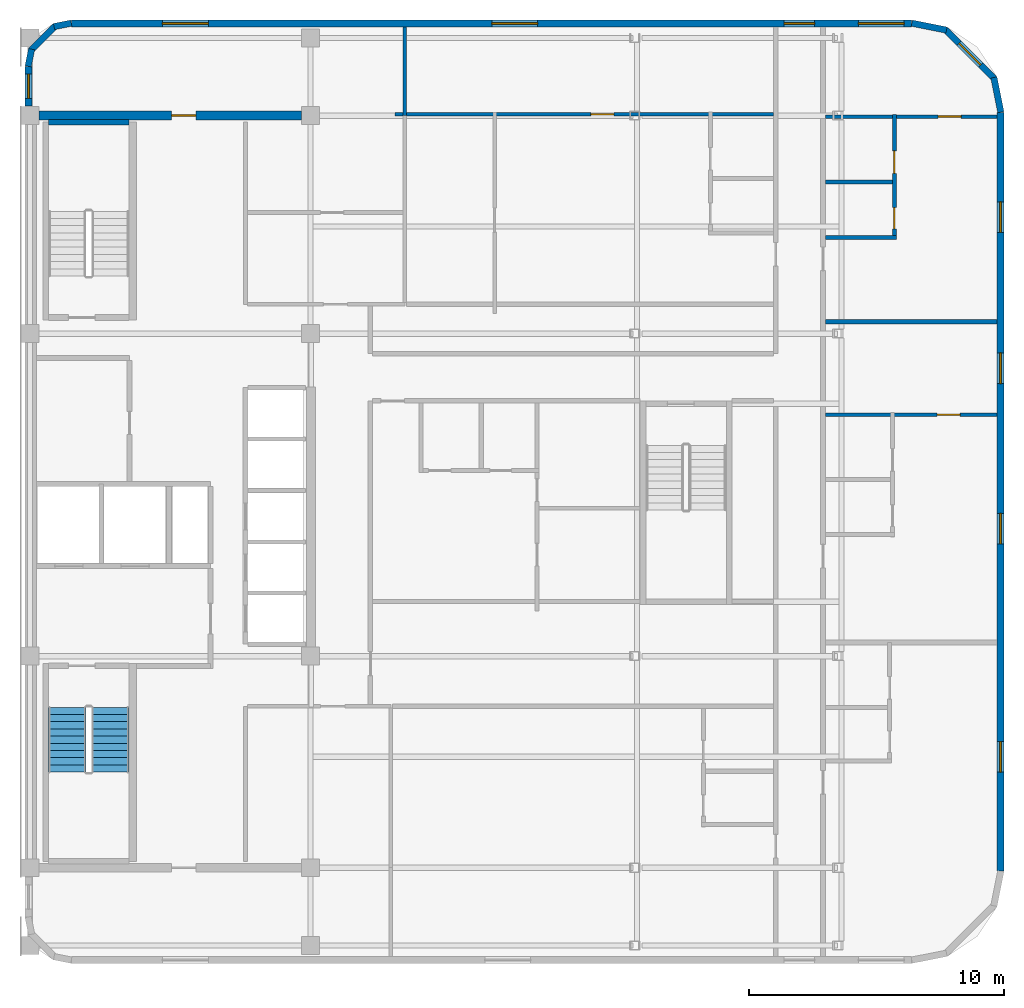
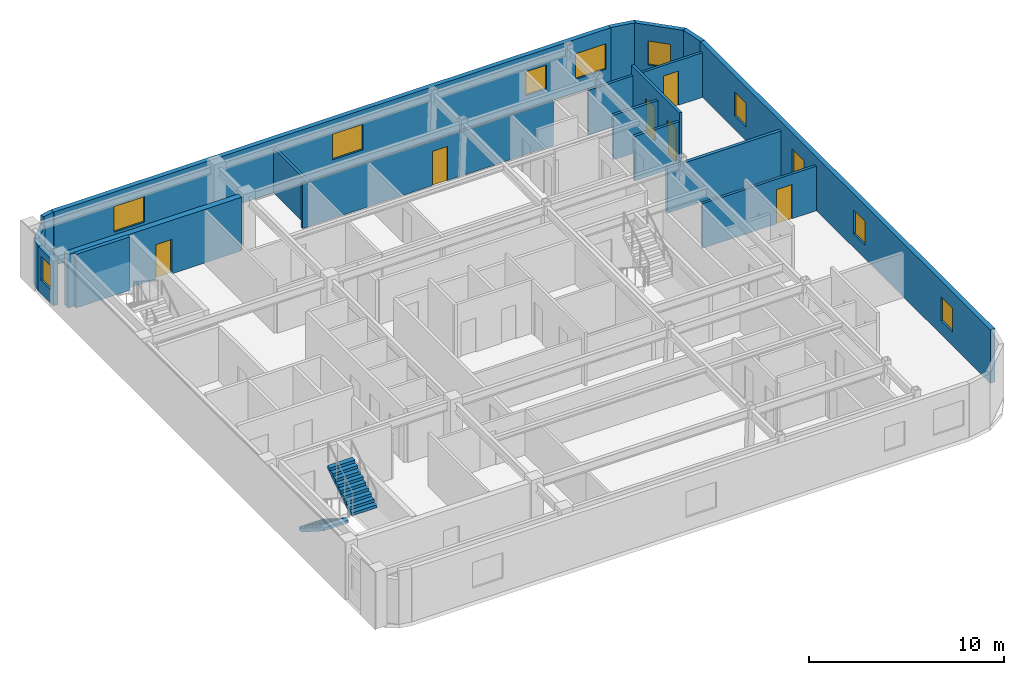
# One storey, part 5 of 8: 19 walls, 10 windows, 6 doors, 2 stair flights, 16 openings, 1 element without a shape of its own.
"""IFC4 building model written with IfcOpenShell, lengths in metres."""

from ifc_helpers import new_model, si_unit, direction, frame, frame_2d, origin, place, context, subcontext, project, spatial, polyline, rectangle, outline, extrude, material, layer, layer_set, type_object, element, fill, aggregate, save


model = new_model("IFC4")

# Units and contexts
model_context = context("Model", 3, precision=1e-05, world=origin(), true_north=direction((0.0, 1.0)))
body_context = subcontext(model_context, "Body", "Model", "MODEL_VIEW")
ifc_project = project(units=[si_unit("LENGTHUNIT", "METRE"), si_unit("AREAUNIT", "SQUARE_METRE"), si_unit("VOLUMEUNIT", "CUBIC_METRE"), si_unit("PLANEANGLEUNIT", "RADIAN"), si_unit("MASSUNIT", "GRAM", prefix="KILO")], contexts=[model_context])

# Site, building, storey
site_placement = place(None, origin())
site = spatial("IfcSite", under=ifc_project, at=site_placement, CompositionType="ELEMENT")
building_placement = place(site_placement, origin())
building = spatial("IfcBuilding", under=site, at=building_placement, Name="Ochreholt Gables", CompositionType="ELEMENT")
storey_placement = place(building_placement, frame((0.0, 0.0, 227.39990234375)))
storey = spatial("IfcBuildingStorey", under=building, at=storey_placement, Name="L59", CompositionType="ELEMENT", Elevation=227.39990234375)

# Wall, opening, door
ifc_material_1 = material(Name="Concrete 50 MPa", Category="concrete")
ifc_layer_1 = layer(ifc_material_1, 0.35009765625, Name="Concrete 50 MPa")
ifc_layer_set_1 = layer_set([ifc_layer_1], Name="Concrete 50 MPa")
wall_type_1 = type_object("IfcWallType", Name="WALL-CSW-350", PredefinedType="SHEAR", material=ifc_layer_set_1)
wall_1_placement = place(storey_placement, frame((24.550048828125, 38.75, 0.0), z_axis=(0.0, 0.0, 1.0), x_axis=(1.0, 0.0, 0.0)))
wall_1 = element("IfcWall", 1, at=wall_1_placement, inside=storey, type_object=wall_type_1, Name="L59 Core North Shear Wall", PredefinedType="SHEAR", context=body_context, shape_type="SweptSolid", body=[
    extrude(rectangle(XDim=10.300048828125, YDim=0.35009765625, at=frame_2d((5.14990234375, 0.0))), origin(), (0.0, 0.0, 1.0), 3.35009765625),
])
opening_1_placement = place(wall_1_placement, frame((5.199951171875, 0.0, 0.0)))
opening_1 = element("IfcOpeningElement", 2, at=opening_1_placement, cuts=wall_1, Name="Opening D-FL2", PredefinedType="OPENING", context=body_context, shape_type="SweptSolid", body=[
    extrude(rectangle(XDim=0.949951171875, YDim=2.14990234375, at=frame_2d((0.47509765625, 1.074951171875))), frame((0.0, 0.18505859375, 0.0), z_axis=(0.0, -1.0, 0.0), x_axis=(1.0, 0.0, 0.0)), (0.0, 0.0, 1.0), 0.3701171875),
])
ifc_material_2 = material(Name="Hollow Metal Steel", Category="steel")
door_type_1 = type_object("IfcDoorType", Name="DR-INT-FLB950", OperationType="NOTDEFINED", PredefinedType="DOOR", material=ifc_material_2)
door_1_placement = place(opening_1_placement, origin())
door_1 = element("IfcDoor", 3, at=door_1_placement, inside=storey, type_object=door_type_1, Name="L59 Door D-C3NSR-L59", OperationType="SINGLE_SWING_RIGHT", OverallHeight=2.14990234375, OverallWidth=0.949951171875, PredefinedType="DOOR", context=body_context, shape_type="SweptSolid", body=[
    extrude(rectangle(XDim=0.949951171875, YDim=2.14990234375, at=frame_2d((0.47509765625, 1.074951171875))), frame((0.0, 0.02490234375, 0.0), z_axis=(0.0, -1.0, 0.0), x_axis=(1.0, 0.0, 0.0)), (0.0, 0.0, 1.0), 0.050048828125),
])
fill(opening_1, door_1)

# Wall, openings, windows
ifc_material_3 = material(Name="Precast concrete 40 MPa", Category="concrete")
ifc_layer_2 = layer(ifc_material_3, 0.27001953125, Name="Precast concrete 40 MPa")
ifc_layer_set_2 = layer_set([ifc_layer_2], Name="Precast concrete 40 MPa")
wall_type_2 = type_object("IfcWallType", Name="WALL-EXT-270", PredefinedType="SOLIDWALL", material=ifc_layer_set_2)
wall_2_placement = place(storey_placement, frame((62.264892578125, 9.1201171875, 0.0), z_axis=(0.0, 0.0, 1.0), x_axis=(0.0, 1.0, 0.0)))
wall_2 = element("IfcWall", 4, at=wall_2_placement, inside=storey, type_object=wall_type_2, Name="L59 East Exterior Wall", PredefinedType="SOLIDWALL", context=body_context, shape_type="SweptSolid", body=[
    extrude(rectangle(XDim=29.759765625, YDim=0.27001953125, at=frame_2d((14.8798828125, 0.0))), origin(), (0.0, 0.0, 1.0), 3.35009765625),
])
opening_2_placement = place(wall_2_placement, frame((3.8798828125, 0.0, 0.85009765625)))
opening_2 = element("IfcOpeningElement", 5, at=opening_2_placement, cuts=wall_2, Name="Opening WN-3", PredefinedType="OPENING", context=body_context, shape_type="SweptSolid", body=[
    extrude(rectangle(XDim=1.199951171875, YDim=1.5, at=frame_2d((0.60009765625, 0.75))), frame((0.0, 0.14501953125, 0.0), z_axis=(0.0, -1.0, 0.0), x_axis=(1.0, 0.0, 0.0)), (0.0, 0.0, 1.0), 0.2900390625),
])
opening_3_placement = place(wall_2_placement, frame((12.830078125, 0.0, 0.85009765625)))
opening_3 = element("IfcOpeningElement", 6, at=opening_3_placement, cuts=wall_2, Name="Opening WN-3", PredefinedType="OPENING", context=body_context, shape_type="SweptSolid", body=[
    extrude(rectangle(XDim=1.199951171875, YDim=1.5, at=frame_2d((0.60009765625, 0.75))), frame((0.0, 0.14501953125, 0.0), z_axis=(0.0, -1.0, 0.0), x_axis=(1.0, 0.0, 0.0)), (0.0, 0.0, 1.0), 0.2900390625),
])
opening_4_placement = place(wall_2_placement, frame((19.1201171875, 0.0, 0.85009765625)))
opening_4 = element("IfcOpeningElement", 7, at=opening_4_placement, cuts=wall_2, Name="Opening WN-3", PredefinedType="OPENING", context=body_context, shape_type="SweptSolid", body=[
    extrude(rectangle(XDim=1.199951171875, YDim=1.5, at=frame_2d((0.60009765625, 0.75))), frame((0.0, 0.14501953125, 0.0), z_axis=(0.0, -1.0, 0.0), x_axis=(1.0, 0.0, 0.0)), (0.0, 0.0, 1.0), 0.2900390625),
])
opening_5_placement = place(wall_2_placement, frame((25.050048828125, 0.0, 0.85009765625)))
opening_5 = element("IfcOpeningElement", 8, at=opening_5_placement, cuts=wall_2, Name="Opening WN-3", PredefinedType="OPENING", context=body_context, shape_type="SweptSolid", body=[
    extrude(rectangle(XDim=1.199951171875, YDim=1.5, at=frame_2d((0.60009765625, 0.75))), frame((0.0, 0.14501953125, 0.0), z_axis=(0.0, -1.0, 0.0), x_axis=(1.0, 0.0, 0.0)), (0.0, 0.0, 1.0), 0.2900390625),
])
ifc_material_4 = material(Name="Triple-Glazed Thermally Broken Aluminium Window", Category="aluminium")
window_type_1 = type_object("IfcWindowType", Name="WIN-RES-1200", PartitioningType="SINGLE_PANEL", PredefinedType="WINDOW", material=ifc_material_4)
window_1_placement = place(opening_2_placement, origin())
window_1 = element("IfcWindow", 9, at=window_1_placement, inside=storey, type_object=window_type_1, Name="L59 Window W-EXT-E-L59-1", OverallHeight=1.5, OverallWidth=1.199951171875, PartitioningType="SINGLE_PANEL", PredefinedType="WINDOW", context=body_context, shape_type="SweptSolid", body=[
    extrude(rectangle(XDim=1.199951171875, YDim=1.5, at=frame_2d((0.60009765625, 0.75))), frame((0.0, 0.030029296875, 0.0), z_axis=(0.0, -1.0, 0.0), x_axis=(1.0, 0.0, 0.0)), (0.0, 0.0, 1.0), 0.06005859375),
])
fill(opening_2, window_1)
window_2_placement = place(opening_3_placement, origin())
window_2 = element("IfcWindow", 10, at=window_2_placement, inside=storey, type_object=window_type_1, Name="L59 Window W-EXT-E-L59-2", OverallHeight=1.5, OverallWidth=1.199951171875, PartitioningType="SINGLE_PANEL", PredefinedType="WINDOW", context=body_context, shape_type="SweptSolid", body=[
    extrude(rectangle(XDim=1.199951171875, YDim=1.5, at=frame_2d((0.60009765625, 0.75))), frame((0.0, 0.030029296875, 0.0), z_axis=(0.0, -1.0, 0.0), x_axis=(1.0, 0.0, 0.0)), (0.0, 0.0, 1.0), 0.06005859375),
])
fill(opening_3, window_2)
window_3_placement = place(opening_4_placement, origin())
window_3 = element("IfcWindow", 11, at=window_3_placement, inside=storey, type_object=window_type_1, Name="L59 Window W-EXT-E-L59-3", OverallHeight=1.5, OverallWidth=1.199951171875, PartitioningType="SINGLE_PANEL", PredefinedType="WINDOW", context=body_context, shape_type="SweptSolid", body=[
    extrude(rectangle(XDim=1.199951171875, YDim=1.5, at=frame_2d((0.60009765625, 0.75))), frame((0.0, 0.030029296875, 0.0), z_axis=(0.0, -1.0, 0.0), x_axis=(1.0, 0.0, 0.0)), (0.0, 0.0, 1.0), 0.06005859375),
])
fill(opening_4, window_3)
window_4_placement = place(opening_5_placement, origin())
window_4 = element("IfcWindow", 12, at=window_4_placement, inside=storey, type_object=window_type_1, Name="L59 Window W-EXT-E-L59-4", OverallHeight=1.5, OverallWidth=1.199951171875, PartitioningType="SINGLE_PANEL", PredefinedType="WINDOW", context=body_context, shape_type="SweptSolid", body=[
    extrude(rectangle(XDim=1.199951171875, YDim=1.5, at=frame_2d((0.60009765625, 0.75))), frame((0.0, 0.030029296875, 0.0), z_axis=(0.0, -1.0, 0.0), x_axis=(1.0, 0.0, 0.0)), (0.0, 0.0, 1.0), 0.06005859375),
])
fill(opening_5, window_4)

wall_3_placement = place(storey_placement, frame((58.780029296875, 42.364990234375, 0.0), z_axis=(0.0, 0.0, 1.0), x_axis=(-1.0, 0.0, 0.0)))
wall_3 = element("IfcWall", 13, at=wall_3_placement, inside=storey, type_object=wall_type_2, Name="L59 North Exterior Wall", PredefinedType="SOLIDWALL", context=body_context, shape_type="SweptSolid", body=[
    extrude(rectangle(XDim=32.9599609375, YDim=0.27001953125, at=frame_2d((16.47998046875, 0.0))), origin(), (0.0, 0.0, 1.0), 3.35009765625),
])
opening_6_placement = place(wall_3_placement, frame((27.590087890625, 0.0, 0.85009765625)))
opening_6 = element("IfcOpeningElement", 14, at=opening_6_placement, cuts=wall_3, Name="Opening WN-1", PredefinedType="OPENING", context=body_context, shape_type="SweptSolid", body=[
    extrude(rectangle(XDim=1.800048828125, YDim=1.60009765625, at=frame_2d((0.89990234375, 0.800048828125))), frame((0.0, 0.14501953125, 0.0), z_axis=(0.0, -1.0, 0.0), x_axis=(1.0, 0.0, 0.0)), (0.0, 0.0, 1.0), 0.2900390625),
])
opening_7_placement = place(wall_3_placement, frame((14.6708984375, 0.0, 0.85009765625)))
opening_7 = element("IfcOpeningElement", 15, at=opening_7_placement, cuts=wall_3, Name="Opening WN-1", PredefinedType="OPENING", context=body_context, shape_type="SweptSolid", body=[
    extrude(rectangle(XDim=1.800048828125, YDim=1.60009765625, at=frame_2d((0.89990234375, 0.800048828125))), frame((0.0, 0.14501953125, 0.0), z_axis=(0.0, -1.0, 0.0), x_axis=(1.0, 0.0, 0.0)), (0.0, 0.0, 1.0), 0.2900390625),
])
opening_8_placement = place(wall_3_placement, frame((3.8046875, 0.0, 0.85009765625)))
opening_8 = element("IfcOpeningElement", 16, at=opening_8_placement, cuts=wall_3, Name="Opening WN-3", PredefinedType="OPENING", context=body_context, shape_type="SweptSolid", body=[
    extrude(rectangle(XDim=1.199951171875, YDim=1.5, at=frame_2d((0.60009765625, 0.75))), frame((0.0, 0.14501953125, 0.0), z_axis=(0.0, -1.0, 0.0), x_axis=(1.0, 0.0, 0.0)), (0.0, 0.0, 1.0), 0.2900390625),
])
opening_9_placement = place(wall_3_placement, frame((0.294921875, 0.0, 0.85009765625)))
opening_9 = element("IfcOpeningElement", 17, at=opening_9_placement, cuts=wall_3, Name="Opening WN-1", PredefinedType="OPENING", context=body_context, shape_type="SweptSolid", body=[
    extrude(rectangle(XDim=1.800048828125, YDim=1.60009765625, at=frame_2d((0.89990234375, 0.800048828125))), frame((0.0, 0.14501953125, 0.0), z_axis=(0.0, -1.0, 0.0), x_axis=(1.0, 0.0, 0.0)), (0.0, 0.0, 1.0), 0.2900390625),
])
window_5_placement = place(opening_8_placement, origin())
window_5 = element("IfcWindow", 18, at=window_5_placement, inside=storey, type_object=window_type_1, Name="L59 Window W-EXT-N-L59-3", OverallHeight=1.5, OverallWidth=1.199951171875, PartitioningType="SINGLE_PANEL", PredefinedType="WINDOW", context=body_context, shape_type="SweptSolid", body=[
    extrude(rectangle(XDim=1.199951171875, YDim=1.5, at=frame_2d((0.60009765625, 0.75))), frame((0.0, 0.030029296875, 0.0), z_axis=(0.0, -1.0, 0.0), x_axis=(1.0, 0.0, 0.0)), (0.0, 0.0, 1.0), 0.06005859375),
])
fill(opening_8, window_5)
window_type_2 = type_object("IfcWindowType", Name="WIN-RES-1800", PartitioningType="SINGLE_PANEL", PredefinedType="WINDOW", material=ifc_material_4)
window_6_placement = place(opening_6_placement, origin())
window_6 = element("IfcWindow", 19, at=window_6_placement, inside=storey, type_object=window_type_2, Name="L59 Window W-EXT-N-L59-1", OverallHeight=1.60009765625, OverallWidth=1.800048828125, PartitioningType="SINGLE_PANEL", PredefinedType="WINDOW", context=body_context, shape_type="SweptSolid", body=[
    extrude(rectangle(XDim=1.800048828125, YDim=1.60009765625, at=frame_2d((0.89990234375, 0.800048828125))), frame((0.0, 0.030029296875, 0.0), z_axis=(0.0, -1.0, 0.0), x_axis=(1.0, 0.0, 0.0)), (0.0, 0.0, 1.0), 0.06005859375),
])
fill(opening_6, window_6)
window_7_placement = place(opening_7_placement, origin())
window_7 = element("IfcWindow", 20, at=window_7_placement, inside=storey, type_object=window_type_2, Name="L59 Window W-EXT-N-L59-2", OverallHeight=1.60009765625, OverallWidth=1.800048828125, PartitioningType="SINGLE_PANEL", PredefinedType="WINDOW", context=body_context, shape_type="SweptSolid", body=[
    extrude(rectangle(XDim=1.800048828125, YDim=1.60009765625, at=frame_2d((0.89990234375, 0.800048828125))), frame((0.0, 0.030029296875, 0.0), z_axis=(0.0, -1.0, 0.0), x_axis=(1.0, 0.0, 0.0)), (0.0, 0.0, 1.0), 0.06005859375),
])
fill(opening_7, window_7)
window_8_placement = place(opening_9_placement, origin())
window_8 = element("IfcWindow", 21, at=window_8_placement, inside=storey, type_object=window_type_2, Name="L59 Window W-EXT-N-L59-4", OverallHeight=1.60009765625, OverallWidth=1.800048828125, PartitioningType="SINGLE_PANEL", PredefinedType="WINDOW", context=body_context, shape_type="SweptSolid", body=[
    extrude(rectangle(XDim=1.800048828125, YDim=1.60009765625, at=frame_2d((0.89990234375, 0.800048828125))), frame((0.0, 0.030029296875, 0.0), z_axis=(0.0, -1.0, 0.0), x_axis=(1.0, 0.0, 0.0)), (0.0, 0.0, 1.0), 0.06005859375),
])
fill(opening_9, window_8)

# Wall, opening, window
wall_4_placement = place(storey_placement, frame((24.135009765625, 39.1201171875, 0.0), z_axis=(0.0, 0.0, 1.0), x_axis=(0.0, 1.0, 0.0)))
wall_4 = element("IfcWall", 22, at=wall_4_placement, inside=storey, type_object=wall_type_2, Name="L59 West Facade North Bay Wall", PredefinedType="SOLIDWALL", context=body_context, shape_type="SweptSolid", body=[
    extrude(rectangle(XDim=1.559814453125, YDim=0.27001953125, at=frame_2d((0.77978515625, 0.0))), origin(), (0.0, 0.0, 1.0), 2.793212890625),
])
opening_10_placement = place(wall_4_placement, frame((0.304931640625, 0.0, 0.85009765625)))
opening_10 = element("IfcOpeningElement", 23, at=opening_10_placement, cuts=wall_4, Name="Opening WN-10", PredefinedType="OPENING", context=body_context, shape_type="SweptSolid", body=[
    extrude(rectangle(XDim=0.949951171875, YDim=1.5, at=frame_2d((0.47509765625, 0.75))), frame((0.0, 0.14501953125, 0.0), z_axis=(0.0, -1.0, 0.0), x_axis=(1.0, 0.0, 0.0)), (0.0, 0.0, 1.0), 0.2900390625),
])
window_type_3 = type_object("IfcWindowType", Name="WIN-RES-950", PartitioningType="SINGLE_PANEL", PredefinedType="WINDOW", material=ifc_material_4)
window_9_placement = place(opening_10_placement, origin())
window_9 = element("IfcWindow", 24, at=window_9_placement, inside=storey, type_object=window_type_3, Name="L59 North Sky Reading West Window", OverallHeight=1.5, OverallWidth=0.949951171875, PartitioningType="SINGLE_PANEL", PredefinedType="WINDOW", context=body_context, shape_type="SweptSolid", body=[
    extrude(rectangle(XDim=0.949951171875, YDim=1.5, at=frame_2d((0.47509765625, 0.75))), frame((0.0, 0.030029296875, 0.0), z_axis=(0.0, -1.0, 0.0), x_axis=(1.0, 0.0, 0.0)), (0.0, 0.0, 1.0), 0.06005859375),
])
fill(opening_10, window_9)

# Wall
ifc_layer_3 = layer(ifc_material_3, 0.25, Name="Precast concrete 40 MPa")
ifc_layer_set_3 = layer_set([ifc_layer_3], Name="Precast concrete 40 MPa")
wall_type_3 = type_object("IfcWallType", Name="WALL-EXT-CNR", PredefinedType="SOLIDWALL", material=ifc_layer_set_3)
wall_5_placement = place(storey_placement, frame((62.27587890625, 38.883544921875, 0.0), z_axis=(0.0, 0.0, 1.0), x_axis=(-0.195135625965, 0.9807762678, 0.0)))
element("IfcWall", 25, at=wall_5_placement, inside=storey, type_object=wall_type_3, Name="L59 Rounded Corner Wall NE-1", PredefinedType="SOLIDWALL", context=body_context, shape_type="SweptSolid", body=[
    extrude(rectangle(XDim=1.388671875, YDim=0.25, at=frame_2d((0.6943359375, 0.0))), origin(), (0.0, 0.0, 1.0), 3.35009765625),
])

# Wall, opening, window
wall_6_placement = place(storey_placement, frame((62.031982421875, 40.195068359375, 0.0), z_axis=(0.0, 0.0, 1.0), x_axis=(-0.707106781187, 0.707106781187, 0.0)))
wall_6 = element("IfcWall", 26, at=wall_6_placement, inside=storey, type_object=wall_type_3, Name="L59 Rounded Corner Wall NE-2", PredefinedType="SOLIDWALL", context=body_context, shape_type="SweptSolid", body=[
    extrude(rectangle(XDim=2.7392578125, YDim=0.25, at=frame_2d((1.36962890625, 0.0))), origin(), (0.0, 0.0, 1.0), 3.35009765625),
])
opening_11_placement = place(wall_6_placement, frame((0.769775390625, 0.0, 0.85009765625)))
opening_11 = element("IfcOpeningElement", 27, at=opening_11_placement, cuts=wall_6, Name="Opening WN-3", PredefinedType="OPENING", context=body_context, shape_type="SweptSolid", body=[
    extrude(rectangle(XDim=1.199951171875, YDim=1.5, at=frame_2d((0.60009765625, 0.75))), frame((0.0, 0.135009765625, 0.0), z_axis=(0.0, -1.0, 0.0), x_axis=(1.0, 0.0, 0.0)), (0.0, 0.0, 1.0), 0.27001953125),
])
window_10_placement = place(opening_11_placement, origin())
window_10 = element("IfcWindow", 28, at=window_10_placement, inside=storey, type_object=window_type_1, Name="L59 Corner Bedroom Window NE", OverallHeight=1.5, OverallWidth=1.199951171875, PartitioningType="SINGLE_PANEL", PredefinedType="WINDOW", context=body_context, shape_type="SweptSolid", body=[
    extrude(rectangle(XDim=1.199951171875, YDim=1.5, at=frame_2d((0.60009765625, 0.75))), frame((0.0, 0.030029296875, 0.0), z_axis=(0.0, -1.0, 0.0), x_axis=(1.0, 0.0, 0.0)), (0.0, 0.0, 1.0), 0.06005859375),
])
fill(opening_11, window_10)

# Walls
wall_7_placement = place(storey_placement, frame((60.1455078125, 42.10498046875, 0.0), z_axis=(0.0, 0.0, 1.0), x_axis=(-0.980809899341, 0.19496651342, 0.0)))
element("IfcWall", 29, at=wall_7_placement, inside=storey, type_object=wall_type_3, Name="L59 Rounded Corner Wall NE-3", PredefinedType="SOLIDWALL", context=body_context, shape_type="SweptSolid", body=[
    extrude(rectangle(XDim=1.388671875, YDim=0.25, at=frame_2d((0.6943359375, 0.0))), origin(), (0.0, 0.0, 1.0), 3.35009765625),
])
wall_8_placement = place(storey_placement, frame((25.81640625, 42.375732421875, 0.0), z_axis=(0.0, 0.0, 1.0), x_axis=(-0.980812594069, -0.194952956674, 0.0)))
element("IfcWall", 30, at=wall_8_placement, inside=storey, type_object=wall_type_3, Name="L59 Rounded Corner Wall NW-1", PredefinedType="SOLIDWALL", context=body_context, shape_type="SweptSolid", body=[
    extrude(rectangle(XDim=0.686279296875, YDim=0.25, at=frame_2d((0.34326171875, 0.0))), origin(), (0.0, 0.0, 1.0), 3.35009765625),
])
wall_9_placement = place(storey_placement, frame((25.19384765625, 42.26904296875, 0.0), z_axis=(0.0, 0.0, 1.0), x_axis=(-0.707106781187, -0.707106781187, 0.0)))
element("IfcWall", 31, at=wall_9_placement, inside=storey, type_object=wall_type_3, Name="L59 Rounded Corner Wall NW-2", PredefinedType="SOLIDWALL", context=body_context, shape_type="SweptSolid", body=[
    extrude(rectangle(XDim=1.36181640625, YDim=0.25, at=frame_2d((0.680908203125, 0.0))), origin(), (0.0, 0.0, 1.0), 2.793212890625),
])
wall_10_placement = place(storey_placement, frame((24.258056640625, 41.356689453125, 0.0), z_axis=(0.0, 0.0, 1.0), x_axis=(-0.194952956674, -0.980812594069, 0.0)))
element("IfcWall", 32, at=wall_10_placement, inside=storey, type_object=wall_type_3, Name="L59 Rounded Corner Wall NW-3", PredefinedType="SOLIDWALL", context=body_context, shape_type="SweptSolid", body=[
    extrude(rectangle(XDim=0.686279296875, YDim=0.25, at=frame_2d((0.34326171875, 0.0))), origin(), (0.0, 0.0, 1.0), 2.793212890625),
])
ifc_material_5 = material(Name="Double-Stud Acoustic Demising Wall", Category="gypsum")
ifc_layer_4 = layer(ifc_material_5, 0.18505859375, Name="Double-Stud Acoustic Demising Wall")
ifc_layer_set_4 = layer_set([ifc_layer_4], Name="Double-Stud Acoustic Demising Wall")
wall_type_4 = type_object("IfcWallType", Name="WALL-INT-DM185", PredefinedType="PARTITIONING", material=ifc_layer_set_4)
wall_11_placement = place(storey_placement, frame((55.390380859375, 30.659912109375, 0.0), z_axis=(0.0, 0.0, 1.0), x_axis=(1.0, 0.0, 0.0)))
element("IfcWall", 33, at=wall_11_placement, inside=storey, type_object=wall_type_4, Name="L59 Interior Wall WI-C3UDE3-L59", PredefinedType="PARTITIONING", context=body_context, shape_type="SweptSolid", body=[
    extrude(rectangle(XDim=6.739501953125, YDim=0.18505859375, at=frame_2d((3.36962890625, 0.0))), origin(), (0.0, 0.0, 1.0), 2.793212890625),
])
ifc_material_6 = material(Name="Moisture-Resistant Plumbing Chase Wall", Category="gypsum")
ifc_layer_5 = layer(ifc_material_6, 0.159912109375, Name="Moisture-Resistant Plumbing Chase Wall")
ifc_layer_set_5 = layer_set([ifc_layer_5], Name="Moisture-Resistant Plumbing Chase Wall")
wall_type_5 = type_object("IfcWallType", Name="WALL-INT-PL160", PredefinedType="PLUMBINGWALL", material=ifc_layer_set_5)
wall_12_placement = place(storey_placement, frame((55.390380859375, 33.974609375, 0.0), z_axis=(0.0, 0.0, 1.0), x_axis=(1.0, 0.0, 0.0)))
element("IfcWall", 34, at=wall_12_placement, inside=storey, type_object=wall_type_5, Name="L59 Interior Wall WU-L59E3-FYS", PredefinedType="PLUMBINGWALL", context=body_context, shape_type="SweptSolid", body=[
    extrude(rectangle(XDim=2.7880859375, YDim=0.159912109375, at=frame_2d((1.39404296875, 0.0))), origin(), (0.0, 0.0, 1.0), 2.793212890625),
])

# Wall, openings, doors
wall_13_placement = place(storey_placement, frame((58.098388671875, 33.884521484375, 0.0), z_axis=(0.0, 0.0, 1.0), x_axis=(0.0, 1.0, 0.0)))
wall_13 = element("IfcWall", 35, at=wall_13_placement, inside=storey, type_object=wall_type_5, Name="L59 Interior Wall WU-L59E3-WX", PredefinedType="PLUMBINGWALL", context=body_context, shape_type="SweptSolid", body=[
    extrude(rectangle(XDim=4.91552734375, YDim=0.159912109375, at=frame_2d((2.457763671875, 0.0))), origin(), (0.0, 0.0, 1.0), 3.35009765625),
])
opening_12_placement = place(wall_13_placement, frame((0.419921875, 0.0, 0.0)))
opening_12 = element("IfcOpeningElement", 36, at=opening_12_placement, cuts=wall_13, Name="Opening D-BT2", PredefinedType="OPENING", context=body_context, shape_type="SweptSolid", body=[
    extrude(rectangle(XDim=0.840087890625, YDim=2.1201171875, at=frame_2d((0.419921875, 1.06005859375))), frame((0.0, 0.08984375, 0.0), z_axis=(0.0, -1.0, 0.0), x_axis=(1.0, 0.0, 0.0)), (0.0, 0.0, 1.0), 0.179931640625),
])
opening_13_placement = place(wall_13_placement, frame((2.598388671875, 0.0, 0.0)))
opening_13 = element("IfcOpeningElement", 37, at=opening_13_placement, cuts=wall_13, Name="Opening D-GN2", PredefinedType="OPENING", context=body_context, shape_type="SweptSolid", body=[
    extrude(rectangle(XDim=0.8798828125, YDim=2.1201171875, at=frame_2d((0.43994140625, 1.06005859375))), frame((0.0, 0.08984375, 0.0), z_axis=(0.0, -1.0, 0.0), x_axis=(1.0, 0.0, 0.0)), (0.0, 0.0, 1.0), 0.179931640625),
])
ifc_material_7 = material(Name="Engineered Oak Timber", Category="wood")
door_type_2 = type_object("IfcDoorType", Name="DR-INT-BTH840", OperationType="NOTDEFINED", PredefinedType="DOOR", material=ifc_material_7)
door_2_placement = place(opening_12_placement, origin())
door_2 = element("IfcDoor", 38, at=door_2_placement, inside=storey, type_object=door_type_2, Name="L59 Door D-U-L59E3-BTH", OperationType="SINGLE_SWING_LEFT", OverallHeight=2.1201171875, OverallWidth=0.840087890625, PredefinedType="DOOR", context=body_context, shape_type="SweptSolid", body=[
    extrude(rectangle(XDim=0.840087890625, YDim=2.1201171875, at=frame_2d((0.419921875, 1.06005859375))), frame((0.0, 0.02490234375, 0.0), z_axis=(0.0, -1.0, 0.0), x_axis=(1.0, 0.0, 0.0)), (0.0, 0.0, 1.0), 0.050048828125),
])
fill(opening_12, door_2)
door_type_3 = type_object("IfcDoorType", Name="DR-INT-GEN880", OperationType="NOTDEFINED", PredefinedType="DOOR", material=ifc_material_7)
door_3_placement = place(opening_13_placement, origin())
door_3 = element("IfcDoor", 39, at=door_3_placement, inside=storey, type_object=door_type_3, Name="L59 Door D-U-L59E3-KIT", OperationType="SINGLE_SWING_RIGHT", OverallHeight=2.1201171875, OverallWidth=0.8798828125, PredefinedType="DOOR", context=body_context, shape_type="SweptSolid", body=[
    extrude(rectangle(XDim=0.8798828125, YDim=2.1201171875, at=frame_2d((0.43994140625, 1.06005859375))), frame((0.0, 0.02490234375, 0.0), z_axis=(0.0, -1.0, 0.0), x_axis=(1.0, 0.0, 0.0)), (0.0, 0.0, 1.0), 0.050048828125),
])
fill(opening_13, door_3)

# Wall
wall_14_placement = place(storey_placement, frame((55.390380859375, 36.15283203125, 0.0), z_axis=(0.0, 0.0, 1.0), x_axis=(1.0, 0.0, 0.0)))
element("IfcWall", 40, at=wall_14_placement, inside=storey, type_object=wall_type_5, Name="L59 Interior Wall WU-L59E3-WK", PredefinedType="PLUMBINGWALL", context=body_context, shape_type="SweptSolid", body=[
    extrude(rectangle(XDim=2.6279296875, YDim=0.159912109375, at=frame_2d((1.31396484375, 0.0))), origin(), (0.0, 0.0, 1.0), 2.793212890625),
])

# Wall, opening, door
ifc_material_8 = material(Name="Lightweight Stud Partition", Category="gypsum")
ifc_layer_6 = layer(ifc_material_8, 0.14501953125, Name="Lightweight Stud Partition")
ifc_layer_set_6 = layer_set([ifc_layer_6], Name="Lightweight Stud Partition")
wall_type_6 = type_object("IfcWallType", Name="WALL-INT-PT145", PredefinedType="PARTITIONING", material=ifc_layer_set_6)
wall_15_placement = place(storey_placement, frame((55.390380859375, 27.02001953125, 0.0), z_axis=(0.0, 0.0, 1.0), x_axis=(1.0, 0.0, 0.0)))
wall_15 = element("IfcWall", 41, at=wall_15_placement, inside=storey, type_object=wall_type_6, Name="L59 Interior Wall WU-L59E2-MN", PredefinedType="PARTITIONING", context=body_context, shape_type="SweptSolid", body=[
    extrude(rectangle(XDim=6.739501953125, YDim=0.14501953125, at=frame_2d((3.36962890625, 0.0))), origin(), (0.0, 0.0, 1.0), 2.793212890625),
])
opening_14_placement = place(wall_15_placement, frame((4.3857421875, 0.0, 0.0)))
opening_14 = element("IfcOpeningElement", 42, at=opening_14_placement, cuts=wall_15, Name="Opening D-BD1", PredefinedType="OPENING", context=body_context, shape_type="SweptSolid", body=[
    extrude(rectangle(XDim=0.89990234375, YDim=2.139892578125, at=frame_2d((0.449951171875, 1.06982421875))), frame((0.0, 0.08251953125, 0.0), z_axis=(0.0, -1.0, 0.0), x_axis=(1.0, 0.0, 0.0)), (0.0, 0.0, 1.0), 0.1650390625),
])
door_type_4 = type_object("IfcDoorType", Name="DR-INT-BED900", OperationType="NOTDEFINED", PredefinedType="DOOR", material=ifc_material_7)
door_4_placement = place(opening_14_placement, origin())
door_4 = element("IfcDoor", 43, at=door_4_placement, inside=storey, type_object=door_type_4, Name="L59 Door D-U-L59E2-BD1", OperationType="SINGLE_SWING_RIGHT", OverallHeight=2.139892578125, OverallWidth=0.89990234375, PredefinedType="DOOR", context=body_context, shape_type="SweptSolid", body=[
    extrude(rectangle(XDim=0.89990234375, YDim=2.139892578125, at=frame_2d((0.449951171875, 1.06982421875))), frame((0.0, 0.02490234375, 0.0), z_axis=(0.0, -1.0, 0.0), x_axis=(1.0, 0.0, 0.0)), (0.0, 0.0, 1.0), 0.050048828125),
])
fill(opening_14, door_4)

wall_16_placement = place(storey_placement, frame((55.390380859375, 38.7099609375, 0.0), z_axis=(0.0, 0.0, 1.0), x_axis=(1.0, 0.0, 0.0)))
wall_16 = element("IfcWall", 44, at=wall_16_placement, inside=storey, type_object=wall_type_6, Name="L59 Interior Wall WU-L59E3-MN", PredefinedType="PARTITIONING", context=body_context, shape_type="SweptSolid", body=[
    extrude(rectangle(XDim=6.739501953125, YDim=0.14501953125, at=frame_2d((3.36962890625, 0.0))), origin(), (0.0, 0.0, 1.0), 2.793212890625),
])
opening_15_placement = place(wall_16_placement, frame((4.423828125, 0.0, 0.0)))
opening_15 = element("IfcOpeningElement", 45, at=opening_15_placement, cuts=wall_16, Name="Opening D-BD1", PredefinedType="OPENING", context=body_context, shape_type="SweptSolid", body=[
    extrude(rectangle(XDim=0.89990234375, YDim=2.139892578125, at=frame_2d((0.449951171875, 1.06982421875))), frame((0.0, 0.08251953125, 0.0), z_axis=(0.0, -1.0, 0.0), x_axis=(1.0, 0.0, 0.0)), (0.0, 0.0, 1.0), 0.1650390625),
])
door_5_placement = place(opening_15_placement, origin())
door_5 = element("IfcDoor", 46, at=door_5_placement, inside=storey, type_object=door_type_4, Name="L59 Door D-U-L59E3-BD1", OperationType="SINGLE_SWING_LEFT", OverallHeight=2.139892578125, OverallWidth=0.89990234375, PredefinedType="DOOR", context=body_context, shape_type="SweptSolid", body=[
    extrude(rectangle(XDim=0.89990234375, YDim=2.139892578125, at=frame_2d((0.449951171875, 1.06982421875))), frame((0.0, 0.02490234375, 0.0), z_axis=(0.0, -1.0, 0.0), x_axis=(1.0, 0.0, 0.0)), (0.0, 0.0, 1.0), 0.050048828125),
])
fill(opening_15, door_5)

# Wall
wall_17_placement = place(storey_placement, frame((38.89990234375, 38.75, 0.0), z_axis=(0.0, 0.0, 1.0), x_axis=(0.0, 1.0, 0.0)))
element("IfcWall", 47, at=wall_17_placement, inside=storey, type_object=wall_type_6, Name="L59 Interior Wall WI-C3NMW-L59", PredefinedType="PARTITIONING", context=body_context, shape_type="SweptSolid", body=[
    extrude(rectangle(XDim=3.47998046875, YDim=0.14501953125, at=frame_2d((1.739990234375, 0.0))), origin(), (0.0, 0.0, 1.0), 2.793212890625),
])

# Wall, opening, door
wall_18_placement = place(storey_placement, frame((38.510009765625, 38.800048828125, 0.0), z_axis=(0.0, 0.0, 1.0), x_axis=(1.0, 0.0, 0.0)))
wall_18 = element("IfcWall", 48, at=wall_18_placement, inside=storey, type_object=wall_type_6, Name="L59 Interior Wall WU-L59NM2-MN", PredefinedType="PARTITIONING", context=body_context, shape_type="SweptSolid", body=[
    extrude(rectangle(XDim=14.850341796875, YDim=0.14501953125, at=frame_2d((7.42529296875, 0.0))), origin(), (0.0, 0.0, 1.0), 2.793212890625),
])
opening_16_placement = place(wall_18_placement, frame((7.6904296875, 0.0, 0.0)))
opening_16 = element("IfcOpeningElement", 49, at=opening_16_placement, cuts=wall_18, Name="Opening D-BD1", PredefinedType="OPENING", context=body_context, shape_type="SweptSolid", body=[
    extrude(rectangle(XDim=0.89990234375, YDim=2.139892578125, at=frame_2d((0.449951171875, 1.06982421875))), frame((0.0, 0.08251953125, 0.0), z_axis=(0.0, -1.0, 0.0), x_axis=(1.0, 0.0, 0.0)), (0.0, 0.0, 1.0), 0.1650390625),
])
door_6_placement = place(opening_16_placement, origin())
door_6 = element("IfcDoor", 50, at=door_6_placement, inside=storey, type_object=door_type_4, Name="L59 Door D-U-L59NM2-BD1", OperationType="SINGLE_SWING_LEFT", OverallHeight=2.139892578125, OverallWidth=0.89990234375, PredefinedType="DOOR", context=body_context, shape_type="SweptSolid", body=[
    extrude(rectangle(XDim=0.89990234375, YDim=2.139892578125, at=frame_2d((0.449951171875, 1.06982421875))), frame((0.0, 0.02490234375, 0.0), z_axis=(0.0, -1.0, 0.0), x_axis=(1.0, 0.0, 0.0)), (0.0, 0.0, 1.0), 0.050048828125),
])
fill(opening_16, door_6)

# Wall
ifc_layer_7 = layer(ifc_material_1, 0.219970703125, Name="Concrete 50 MPa")
ifc_layer_set_7 = layer_set([ifc_layer_7], Name="Concrete 50 MPa")
wall_type_7 = type_object("IfcWallType", Name="WALL-STW-220", PredefinedType="SHEAR", material=ifc_layer_set_7)
wall_19_placement = place(storey_placement, frame((24.919921875, 38.489990234375, 0.0), z_axis=(0.0, 0.0, 1.0), x_axis=(1.0, 0.0, 0.0)))
element("IfcWall", 51, at=wall_19_placement, inside=storey, type_object=wall_type_7, Name="L59 Exit Stair 2 North Wall", PredefinedType="SHEAR", context=body_context, shape_type="SweptSolid", body=[
    extrude(rectangle(XDim=3.16015625, YDim=0.219970703125, at=frame_2d((1.580078125, 0.0))), origin(), (0.0, 0.0, 1.0), 3.35009765625),
])

# Stair, stair flights
ifc_material_9 = material(Name="Concrete 40 MPa", Category="concrete")
stair_type = type_object("IfcStairType", Name="STAIR-CORE-ST-1", PredefinedType="HALF_TURN_STAIR", material=ifc_material_9)
stair_placement = place(storey_placement, origin())
stair = element("IfcStair", 52, at=stair_placement, inside=storey, type_object=stair_type, Name="L59 Core Exit Stair 1", PredefinedType="HALF_TURN_STAIR")
stair_flight_type = type_object("IfcStairFlightType", Name="FLIGHT-ST-1480-1800", PredefinedType="STRAIGHT", material=ifc_material_9)
stair_flight_1_placement = place(storey_placement, frame((25.659912109375, 15.5400390625, 0.0), z_axis=(0.0, 0.0, 1.0), x_axis=(0.0, -1.0, 0.0)))
stair_flight_1 = element("IfcStairFlight", 53, at=stair_flight_1_placement, type_object=stair_flight_type, Name="ST-1 flight 1", NumberOfRisers=10, NumberOfTreads=9, PredefinedType="STRAIGHT", RiserHeight=0.18, TreadLength=0.282, context=body_context, shape_type="SweptSolid", body=[
    extrude(outline(polyline([(0.0, 0.0), (0.0, 0.179931640625), (0.281982421875, 0.179931640625), (0.281982421875, 0.360107421875), (0.56396484375, 0.360107421875), (0.56396484375, 0.5400390625), (0.845947265625, 0.5400390625), (0.845947265625, 0.719970703125), (1.1279296875, 0.719970703125), (1.1279296875, 0.89990234375), (1.409912109375, 0.89990234375), (1.409912109375, 1.080078125), (1.69189453125, 1.080078125), (1.69189453125, 1.260009765625), (1.97412109375, 1.260009765625), (1.97412109375, 1.43994140625), (2.256103515625, 1.43994140625), (2.256103515625, 1.6201171875), (2.5380859375, 1.6201171875), (2.5380859375, 1.800048828125), (2.5380859375, 1.442138671875), (0.278564453125, 0.0), (0.0, 0.0)])), frame((0.0, 0.739990234375, 0.0), z_axis=(0.0, -1.0, 0.0), x_axis=(1.0, 0.0, 0.0)), (0.0, 0.0, 1.0), 1.47998046875),
])
stair_flight_2_placement = place(storey_placement, frame((27.340087890625, 13.001953125, 1.800048828125), z_axis=(0.0, 0.0, 1.0), x_axis=(0.0, 1.0, 0.0)))
stair_flight_2 = element("IfcStairFlight", 54, at=stair_flight_2_placement, type_object=stair_flight_type, Name="ST-1 flight 2", NumberOfRisers=10, NumberOfTreads=9, PredefinedType="STRAIGHT", RiserHeight=0.18, TreadLength=0.282, context=body_context, shape_type="SweptSolid", body=[
    extrude(outline(polyline([(0.0, 0.0), (0.0, 0.179931640625), (0.281982421875, 0.179931640625), (0.281982421875, 0.360107421875), (0.56396484375, 0.360107421875), (0.56396484375, 0.5400390625), (0.845947265625, 0.5400390625), (0.845947265625, 0.719970703125), (1.1279296875, 0.719970703125), (1.1279296875, 0.89990234375), (1.409912109375, 0.89990234375), (1.409912109375, 1.080078125), (1.69189453125, 1.080078125), (1.69189453125, 1.260009765625), (1.97412109375, 1.260009765625), (1.97412109375, 1.43994140625), (2.256103515625, 1.43994140625), (2.256103515625, 1.6201171875), (2.5380859375, 1.6201171875), (2.5380859375, 1.800048828125), (2.5380859375, 1.442138671875), (0.278564453125, 0.0), (0.0, 0.0)])), frame((0.0, 0.739990234375, 0.0), z_axis=(0.0, -1.0, 0.0), x_axis=(1.0, 0.0, 0.0)), (0.0, 0.0, 1.0), 1.47998046875),
])
aggregate(stair, [stair_flight_1, stair_flight_2])

save(model, "model.ifc")
